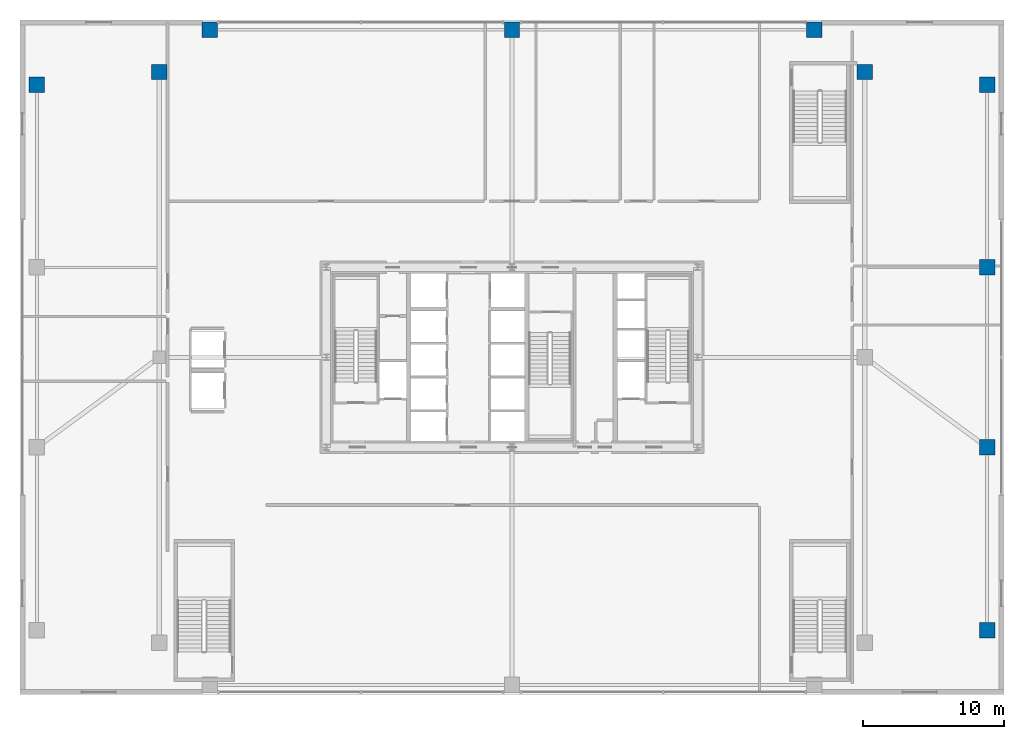
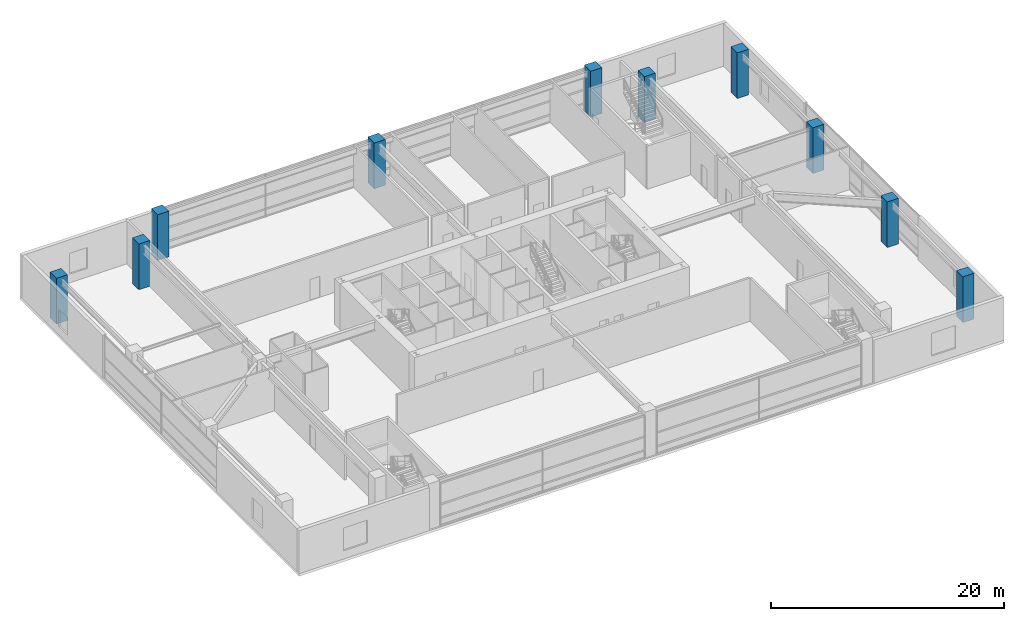
# One storey, part 3 of 38: 10 columns.
"""IFC4 building model written with IfcOpenShell, lengths in metres."""

from ifc_helpers import new_model, si_unit, direction, frame, origin, origin_2d, place, context, subcontext, project, spatial, rectangle, extrude, source, transform, mapped, material, material_profile, profile_set, type_object, element, save


model = new_model("IFC4")

# Units and contexts
model_context = context("Model", 3, precision=1e-05, world=origin(), true_north=direction((0.0, 1.0)))
body_context = subcontext(model_context, "Body", "Model", "MODEL_VIEW")
ifc_project = project(units=[si_unit("LENGTHUNIT", "METRE"), si_unit("AREAUNIT", "SQUARE_METRE"), si_unit("VOLUMEUNIT", "CUBIC_METRE"), si_unit("PLANEANGLEUNIT", "RADIAN"), si_unit("MASSUNIT", "GRAM", prefix="KILO"), si_unit("THERMODYNAMICTEMPERATUREUNIT", "KELVIN"), si_unit("POWERUNIT", "WATT")], contexts=[model_context])

# Site, building, storey
site_placement = place(None, origin())
site = spatial("IfcSite", under=ifc_project, at=site_placement, CompositionType="ELEMENT")
building_placement = place(site_placement, origin())
building = spatial("IfcBuilding", under=site, at=building_placement, Name="Yuzanri Waterfront Tower", CompositionType="ELEMENT")
storey_placement = place(building_placement, frame((0.0, 0.0, 10.199951171875)))
storey = spatial("IfcBuildingStorey", under=building, at=storey_placement, Name="L03", CompositionType="ELEMENT", Elevation=10.199951171875)

# Columns
ifc_material = material(Name="Concrete C50", Category="concrete")
ifc_material_profile = material_profile(ifc_material, rectangle(XDim=1.10009765625, YDim=1.10009765625, at=origin_2d()), Name="RC 1100x1100")
ifc_profile_set = profile_set([ifc_material_profile], Name="Concrete C50")
column_type = type_object("IfcColumnType", Name="Podium RC Column C50 1100x1100", PredefinedType="COLUMN", material=ifc_profile_set)
shared_shape = source(origin(), body_context, "Body", "SweptSolid", [
    extrude(rectangle(XDim=1.10009765625, YDim=1.10009765625, at=origin_2d()), origin(), (0.0, 0.0, 1.0), 4.800048828125),
])
for number, where, z_axis, x_axis, name in (
    (1, (3.199951171875, 45.199951171875, 0.0), (0.0, 0.0, 1.0), (1.0, 0.0, 0.0), "L03 Podium Column PW4"),
    (2, (70.800048828125, 6.39990234375, 0.0), (0.0, 0.0, 1.0), (1.0, 0.0, 0.0), "L03 Podium Column PE1"),
    (3, (70.800048828125, 19.39990234375, 0.0), (0.0, 0.0, 1.0), (1.0, 0.0, 0.0), "L03 Podium Column PE2"),
    (4, (70.800048828125, 32.199951171875, 0.0), (0.0, 0.0, 1.0), (1.0, 0.0, 0.0), "L03 Podium Column PE3"),
    (5, (70.800048828125, 45.199951171875, 0.0), (0.0, 0.0, 1.0), (1.0, 0.0, 0.0), "L03 Podium Column PE4"),
    (6, (11.89990234375, 46.10009765625, 0.0), (0.0, 0.0, 1.0), (1.0, 0.0, 0.0), "L03 Podium Column PTW3"),
    (7, (62.10009765625, 46.10009765625, 0.0), (0.0, 0.0, 1.0), (1.0, 0.0, 0.0), "L03 Podium Column PTE3"),
    (8, (15.5, 49.10009765625, 0.0), (0.0, 0.0, 1.0), (1.0, 0.0, 0.0), "L03 Podium Column PTN1"),
    (9, (37.0, 49.10009765625, 0.0), (0.0, 0.0, 1.0), (1.0, 0.0, 0.0), "L03 Podium Column PTN2"),
    (10, (58.5, 49.10009765625, 0.0), (0.0, 0.0, 1.0), (1.0, 0.0, 0.0), "L03 Podium Column PTN3"),
):
    element("IfcColumn", number, at=place(storey_placement, frame(where, z_axis=z_axis, x_axis=x_axis)), inside=storey, type_object=column_type, Name=name, PredefinedType="COLUMN", context=body_context, shape_type="MappedRepresentation", body=[
        mapped(shared_shape, transform((0.0, 0.0, 0.0), scale=1.0)),
    ])

save(model, "model.ifc")
